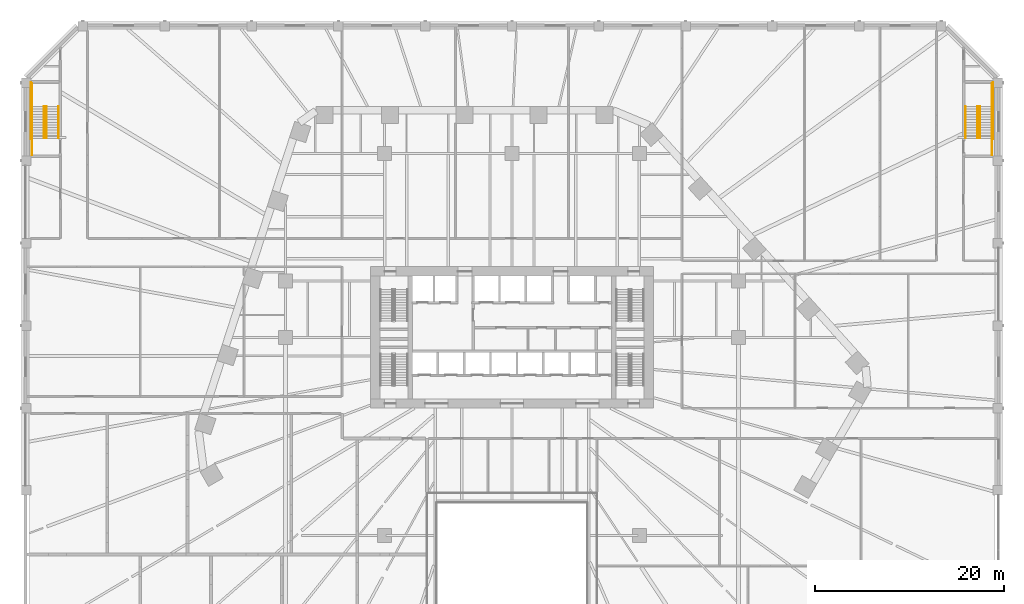
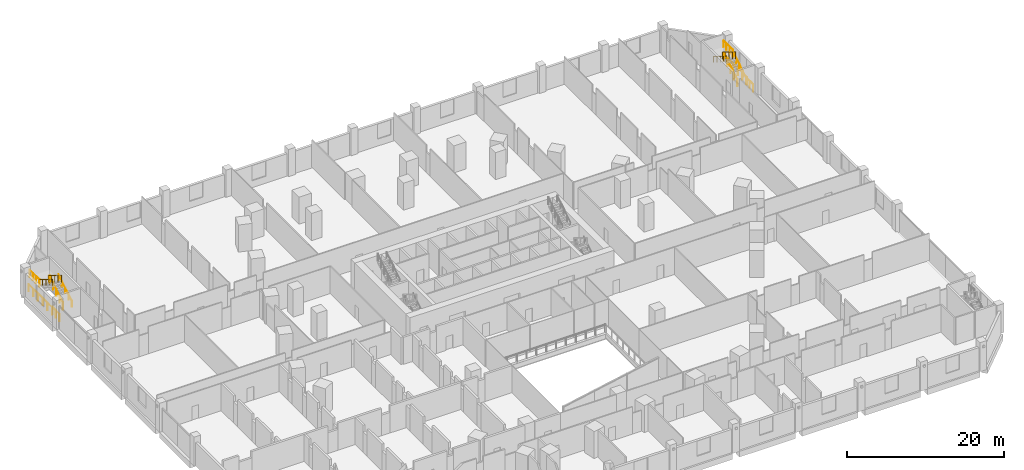
# One storey, part 33 of 33: 14 railings.
"""IFC4 building model written with IfcOpenShell, lengths in metres."""

from ifc_helpers import new_model, si_unit, direction, frame, origin, origin_2d, place, context, subcontext, project, spatial, circle, extrude, material, type_object, element, save


model = new_model("IFC4")

# Units and contexts
model_context = context("Model", 3, precision=1e-05, world=origin(), true_north=direction((0.0, 1.0)))
body_context = subcontext(model_context, "Body", "Model", "MODEL_VIEW")
ifc_project = project(units=[si_unit("LENGTHUNIT", "METRE"), si_unit("AREAUNIT", "SQUARE_METRE"), si_unit("VOLUMEUNIT", "CUBIC_METRE"), si_unit("PLANEANGLEUNIT", "RADIAN"), si_unit("MASSUNIT", "GRAM", prefix="KILO")], contexts=[model_context])

# Site, building, storey
site_placement = place(None, origin())
site = spatial("IfcSite", under=ifc_project, at=site_placement, CompositionType="ELEMENT")
building_placement = place(site_placement, origin())
building = spatial("IfcBuilding", under=site, at=building_placement, Name="Isthmus Gate Tower", CompositionType="ELEMENT")
storey_placement = place(building_placement, frame((0.0, 0.0, 22.5)))
storey = spatial("IfcBuildingStorey", under=building, at=storey_placement, Name="L03", CompositionType="ELEMENT", Elevation=22.5)

# Railings
ifc_material_1 = material(Name="Painted steel balusters with timber handrail", Category="steel")
railing_type_1 = type_object("IfcRailingType", Name="Podium stair guard 1100", PredefinedType="GUARDRAIL", material=ifc_material_1)
railing_1_placement = place(storey_placement, frame((49.60009765625, 28.625, 0.173095703125)))
element("IfcRailing", 1, at=railing_1_placement, inside=storey, type_object=railing_type_1, Name="L03 ST5 stair guard 1", PredefinedType="GUARDRAIL", context=body_context, shape_type="SweptSolid", body=[
    extrude(circle(Radius=0.02392578125, at=origin_2d()), frame((0.0, 0.0, 1.076171875), z_axis=(0.0, 0.850623216509, 0.525775754039), x_axis=(-1.0, 0.0, 0.0)), (0.0, 0.0, 1.0), 3.9501953125),
    extrude(circle(Radius=0.02099609375, at=origin_2d()), origin(), (0.0, 0.0, 1.0), 1.052001953125),
    extrude(circle(Radius=0.02099609375, at=origin_2d()), frame((0.0, 0.840087890625, 0.519287109375)), (0.0, 0.0, 1.0), 1.052001953125),
    extrude(circle(Radius=0.02099609375, at=origin_2d()), frame((0.0, 1.68017578125, 1.03857421875)), (0.0, 0.0, 1.0), 1.052001953125),
    extrude(circle(Radius=0.02099609375, at=origin_2d()), frame((0.0, 2.52001953125, 1.5576171875)), (0.0, 0.0, 1.0), 1.052001953125),
    extrude(circle(Radius=0.02099609375, at=origin_2d()), frame((0.0, 3.360107421875, 2.076904296875)), (0.0, 0.0, 1.0), 1.052001953125),
])
railing_2_placement = place(storey_placement, frame((50.89990234375, 31.985107421875, 2.25)))
element("IfcRailing", 2, at=railing_2_placement, inside=storey, type_object=railing_type_1, Name="L03 ST5 stair guard 2", PredefinedType="GUARDRAIL", context=body_context, shape_type="SweptSolid", body=[
    extrude(circle(Radius=0.02392578125, at=origin_2d()), frame((0.0, 0.0, 1.076171875), z_axis=(0.0, 1.0, 0.0), x_axis=(-1.0, 0.0, 0.0)), (0.0, 0.0, 1.0), 2.43994140625),
    extrude(circle(Radius=0.02099609375, at=origin_2d()), origin(), (0.0, 0.0, 1.0), 1.052001953125),
    extrude(circle(Radius=0.02099609375, at=origin_2d()), frame((0.0, 0.813232421875, 0.0)), (0.0, 0.0, 1.0), 1.052001953125),
    extrude(circle(Radius=0.02099609375, at=origin_2d()), frame((0.0, 1.626708984375, 0.0)), (0.0, 0.0, 1.0), 1.052001953125),
    extrude(circle(Radius=0.02099609375, at=origin_2d()), frame((0.0, 2.43994140625, 0.0)), (0.0, 0.0, 1.0), 1.052001953125),
])
railing_3_placement = place(storey_placement, frame((49.35009765625, 31.985107421875, 2.423095703125)))
element("IfcRailing", 3, at=railing_3_placement, inside=storey, type_object=railing_type_1, Name="L03 ST5 stair guard 3", PredefinedType="GUARDRAIL", context=body_context, shape_type="SweptSolid", body=[
    extrude(circle(Radius=0.02392578125, at=origin_2d()), frame((0.0, 0.0, 1.076171875), z_axis=(0.0, -0.850623216509, 0.525775754039), x_axis=(1.0, 0.0, 0.0)), (0.0, 0.0, 1.0), 3.9501953125),
    extrude(circle(Radius=0.02099609375, at=origin_2d()), origin(), (0.0, 0.0, 1.0), 1.052001953125),
    extrude(circle(Radius=0.02099609375, at=origin_2d()), frame((0.0, -0.840087890625, 0.519287109375)), (0.0, 0.0, 1.0), 1.052001953125),
    extrude(circle(Radius=0.02099609375, at=origin_2d()), frame((0.0, -1.68017578125, 1.03857421875)), (0.0, 0.0, 1.0), 1.052001953125),
    extrude(circle(Radius=0.02099609375, at=origin_2d()), frame((0.0, -2.52001953125, 1.5576171875)), (0.0, 0.0, 1.0), 1.052001953125),
    extrude(circle(Radius=0.02099609375, at=origin_2d()), frame((0.0, -3.360107421875, 2.076904296875)), (0.0, 0.0, 1.0), 1.052001953125),
])
railing_4_placement = place(storey_placement, frame((50.89990234375, 26.824951171875, 0.0)))
element("IfcRailing", 4, at=railing_4_placement, inside=storey, type_object=railing_type_1, Name="L03 ST5 stair guard 4", PredefinedType="GUARDRAIL", context=body_context, shape_type="SweptSolid", body=[
    extrude(circle(Radius=0.02392578125, at=origin_2d()), frame((0.0, 0.0, 1.076171875), z_axis=(0.0, 1.0, 0.0), x_axis=(-1.0, 0.0, 0.0)), (0.0, 0.0, 1.0), 1.800048828125),
    extrude(circle(Radius=0.02099609375, at=origin_2d()), origin(), (0.0, 0.0, 1.0), 1.052001953125),
    extrude(circle(Radius=0.02099609375, at=origin_2d()), frame((0.0, 0.89990234375, 0.0)), (0.0, 0.0, 1.0), 1.052001953125),
    extrude(circle(Radius=0.02099609375, at=origin_2d()), frame((0.0, 1.800048828125, 0.0)), (0.0, 0.0, 1.0), 1.052001953125),
])
railing_5_placement = place(storey_placement, frame((51.0, 28.52490234375, 0.0)))
element("IfcRailing", 5, at=railing_5_placement, inside=storey, type_object=railing_type_1, Name="L03 ST5 stair guard 5", PredefinedType="GUARDRAIL", context=body_context, shape_type="SweptSolid", body=[
    extrude(circle(Radius=0.02392578125, at=origin_2d()), frame((0.0, 0.0, 1.076171875), z_axis=(0.0, 1.0, 0.0), x_axis=(-1.0, 0.0, 0.0)), (0.0, 0.0, 1.0), 6.0),
    extrude(circle(Radius=0.02099609375, at=origin_2d()), origin(), (0.0, 0.0, 1.0), 1.052001953125),
    extrude(circle(Radius=0.02099609375, at=origin_2d()), frame((0.0, 1.199951171875, 0.0)), (0.0, 0.0, 1.0), 1.052001953125),
    extrude(circle(Radius=0.02099609375, at=origin_2d()), frame((0.0, 2.39990234375, 0.0)), (0.0, 0.0, 1.0), 1.052001953125),
    extrude(circle(Radius=0.02099609375, at=origin_2d()), frame((0.0, 3.60009765625, 0.0)), (0.0, 0.0, 1.0), 1.052001953125),
    extrude(circle(Radius=0.02099609375, at=origin_2d()), frame((0.0, 4.800048828125, 0.0)), (0.0, 0.0, 1.0), 1.052001953125),
    extrude(circle(Radius=0.02099609375, at=origin_2d()), frame((0.0, 6.0, 0.0)), (0.0, 0.0, 1.0), 1.052001953125),
])
railing_6_placement = place(storey_placement, frame((-49.35009765625, 28.625, 0.173095703125)))
element("IfcRailing", 6, at=railing_6_placement, inside=storey, type_object=railing_type_1, Name="L03 ST6 stair guard 1", PredefinedType="GUARDRAIL", context=body_context, shape_type="SweptSolid", body=[
    extrude(circle(Radius=0.02392578125, at=origin_2d()), frame((0.0, 0.0, 1.076171875), z_axis=(0.0, 0.850623216509, 0.525775754039), x_axis=(-1.0, 0.0, 0.0)), (0.0, 0.0, 1.0), 3.9501953125),
    extrude(circle(Radius=0.02099609375, at=origin_2d()), origin(), (0.0, 0.0, 1.0), 1.052001953125),
    extrude(circle(Radius=0.02099609375, at=origin_2d()), frame((0.0, 0.840087890625, 0.519287109375)), (0.0, 0.0, 1.0), 1.052001953125),
    extrude(circle(Radius=0.02099609375, at=origin_2d()), frame((0.0, 1.68017578125, 1.03857421875)), (0.0, 0.0, 1.0), 1.052001953125),
    extrude(circle(Radius=0.02099609375, at=origin_2d()), frame((0.0, 2.52001953125, 1.5576171875)), (0.0, 0.0, 1.0), 1.052001953125),
    extrude(circle(Radius=0.02099609375, at=origin_2d()), frame((0.0, 3.360107421875, 2.076904296875)), (0.0, 0.0, 1.0), 1.052001953125),
])
railing_7_placement = place(storey_placement, frame((-50.89990234375, 31.985107421875, 2.25)))
element("IfcRailing", 7, at=railing_7_placement, inside=storey, type_object=railing_type_1, Name="L03 ST6 stair guard 2", PredefinedType="GUARDRAIL", context=body_context, shape_type="SweptSolid", body=[
    extrude(circle(Radius=0.02392578125, at=origin_2d()), frame((0.0, 0.0, 1.076171875), z_axis=(0.0, 1.0, 0.0), x_axis=(-1.0, 0.0, 0.0)), (0.0, 0.0, 1.0), 2.43994140625),
    extrude(circle(Radius=0.02099609375, at=origin_2d()), origin(), (0.0, 0.0, 1.0), 1.052001953125),
    extrude(circle(Radius=0.02099609375, at=origin_2d()), frame((0.0, 0.813232421875, 0.0)), (0.0, 0.0, 1.0), 1.052001953125),
    extrude(circle(Radius=0.02099609375, at=origin_2d()), frame((0.0, 1.626708984375, 0.0)), (0.0, 0.0, 1.0), 1.052001953125),
    extrude(circle(Radius=0.02099609375, at=origin_2d()), frame((0.0, 2.43994140625, 0.0)), (0.0, 0.0, 1.0), 1.052001953125),
])
railing_8_placement = place(storey_placement, frame((-49.60009765625, 31.985107421875, 2.423095703125)))
element("IfcRailing", 8, at=railing_8_placement, inside=storey, type_object=railing_type_1, Name="L03 ST6 stair guard 3", PredefinedType="GUARDRAIL", context=body_context, shape_type="SweptSolid", body=[
    extrude(circle(Radius=0.02392578125, at=origin_2d()), frame((0.0, 0.0, 1.076171875), z_axis=(0.0, -0.850623216509, 0.525775754039), x_axis=(1.0, 0.0, 0.0)), (0.0, 0.0, 1.0), 3.9501953125),
    extrude(circle(Radius=0.02099609375, at=origin_2d()), origin(), (0.0, 0.0, 1.0), 1.052001953125),
    extrude(circle(Radius=0.02099609375, at=origin_2d()), frame((0.0, -0.840087890625, 0.519287109375)), (0.0, 0.0, 1.0), 1.052001953125),
    extrude(circle(Radius=0.02099609375, at=origin_2d()), frame((0.0, -1.68017578125, 1.03857421875)), (0.0, 0.0, 1.0), 1.052001953125),
    extrude(circle(Radius=0.02099609375, at=origin_2d()), frame((0.0, -2.52001953125, 1.5576171875)), (0.0, 0.0, 1.0), 1.052001953125),
    extrude(circle(Radius=0.02099609375, at=origin_2d()), frame((0.0, -3.360107421875, 2.076904296875)), (0.0, 0.0, 1.0), 1.052001953125),
])
railing_9_placement = place(storey_placement, frame((-50.89990234375, 26.824951171875, 0.0)))
element("IfcRailing", 9, at=railing_9_placement, inside=storey, type_object=railing_type_1, Name="L03 ST6 stair guard 4", PredefinedType="GUARDRAIL", context=body_context, shape_type="SweptSolid", body=[
    extrude(circle(Radius=0.02392578125, at=origin_2d()), frame((0.0, 0.0, 1.076171875), z_axis=(0.0, 1.0, 0.0), x_axis=(-1.0, 0.0, 0.0)), (0.0, 0.0, 1.0), 1.800048828125),
    extrude(circle(Radius=0.02099609375, at=origin_2d()), origin(), (0.0, 0.0, 1.0), 1.052001953125),
    extrude(circle(Radius=0.02099609375, at=origin_2d()), frame((0.0, 0.89990234375, 0.0)), (0.0, 0.0, 1.0), 1.052001953125),
    extrude(circle(Radius=0.02099609375, at=origin_2d()), frame((0.0, 1.800048828125, 0.0)), (0.0, 0.0, 1.0), 1.052001953125),
])
railing_10_placement = place(storey_placement, frame((-51.0, 28.52490234375, 0.0)))
element("IfcRailing", 10, at=railing_10_placement, inside=storey, type_object=railing_type_1, Name="L03 ST6 stair guard 5", PredefinedType="GUARDRAIL", context=body_context, shape_type="SweptSolid", body=[
    extrude(circle(Radius=0.02392578125, at=origin_2d()), frame((0.0, 0.0, 1.076171875), z_axis=(0.0, 1.0, 0.0), x_axis=(-1.0, 0.0, 0.0)), (0.0, 0.0, 1.0), 6.0),
    extrude(circle(Radius=0.02099609375, at=origin_2d()), origin(), (0.0, 0.0, 1.0), 1.052001953125),
    extrude(circle(Radius=0.02099609375, at=origin_2d()), frame((0.0, 1.199951171875, 0.0)), (0.0, 0.0, 1.0), 1.052001953125),
    extrude(circle(Radius=0.02099609375, at=origin_2d()), frame((0.0, 2.39990234375, 0.0)), (0.0, 0.0, 1.0), 1.052001953125),
    extrude(circle(Radius=0.02099609375, at=origin_2d()), frame((0.0, 3.60009765625, 0.0)), (0.0, 0.0, 1.0), 1.052001953125),
    extrude(circle(Radius=0.02099609375, at=origin_2d()), frame((0.0, 4.800048828125, 0.0)), (0.0, 0.0, 1.0), 1.052001953125),
    extrude(circle(Radius=0.02099609375, at=origin_2d()), frame((0.0, 6.0, 0.0)), (0.0, 0.0, 1.0), 1.052001953125),
])
ifc_material_2 = material(Name="Stainless steel tube", Category="steel")
railing_type_2 = type_object("IfcRailingType", Name="Podium stair handrail 900", PredefinedType="HANDRAIL", material=ifc_material_2)
railing_11_placement = place(storey_placement, frame((50.89990234375, 28.625, 0.173095703125)))
element("IfcRailing", 11, at=railing_11_placement, inside=storey, type_object=railing_type_2, Name="L03 ST5 stair handrail 1", PredefinedType="HANDRAIL", context=body_context, shape_type="SweptSolid", body=[
    extrude(circle(Radius=0.02392578125, at=origin_2d()), frame((0.0, 0.0, 0.8759765625), z_axis=(0.0, 0.850623216509, 0.525775754039), x_axis=(-1.0, 0.0, 0.0)), (0.0, 0.0, 1.0), 3.9501953125),
    extrude(circle(Radius=0.02099609375, at=origin_2d()), origin(), (0.0, 0.0, 1.0), 0.851806640625),
    extrude(circle(Radius=0.02099609375, at=origin_2d()), frame((0.0, 0.840087890625, 0.519287109375)), (0.0, 0.0, 1.0), 0.851806640625),
    extrude(circle(Radius=0.02099609375, at=origin_2d()), frame((0.0, 1.68017578125, 1.03857421875)), (0.0, 0.0, 1.0), 0.851806640625),
    extrude(circle(Radius=0.02099609375, at=origin_2d()), frame((0.0, 2.52001953125, 1.5576171875)), (0.0, 0.0, 1.0), 0.851806640625),
    extrude(circle(Radius=0.02099609375, at=origin_2d()), frame((0.0, 3.360107421875, 2.076904296875)), (0.0, 0.0, 1.0), 0.851806640625),
])
railing_12_placement = place(storey_placement, frame((48.050048828125, 31.985107421875, 2.423095703125)))
element("IfcRailing", 12, at=railing_12_placement, inside=storey, type_object=railing_type_2, Name="L03 ST5 stair handrail 2", PredefinedType="HANDRAIL", context=body_context, shape_type="SweptSolid", body=[
    extrude(circle(Radius=0.02392578125, at=origin_2d()), frame((0.0, 0.0, 0.8759765625), z_axis=(0.0, -0.850623216509, 0.525775754039), x_axis=(1.0, 0.0, 0.0)), (0.0, 0.0, 1.0), 3.9501953125),
    extrude(circle(Radius=0.02099609375, at=origin_2d()), origin(), (0.0, 0.0, 1.0), 0.851806640625),
    extrude(circle(Radius=0.02099609375, at=origin_2d()), frame((0.0, -0.840087890625, 0.519287109375)), (0.0, 0.0, 1.0), 0.851806640625),
    extrude(circle(Radius=0.02099609375, at=origin_2d()), frame((0.0, -1.68017578125, 1.03857421875)), (0.0, 0.0, 1.0), 0.851806640625),
    extrude(circle(Radius=0.02099609375, at=origin_2d()), frame((0.0, -2.52001953125, 1.5576171875)), (0.0, 0.0, 1.0), 0.851806640625),
    extrude(circle(Radius=0.02099609375, at=origin_2d()), frame((0.0, -3.360107421875, 2.076904296875)), (0.0, 0.0, 1.0), 0.851806640625),
])
railing_13_placement = place(storey_placement, frame((-48.050048828125, 28.625, 0.173095703125)))
element("IfcRailing", 13, at=railing_13_placement, inside=storey, type_object=railing_type_2, Name="L03 ST6 stair handrail 1", PredefinedType="HANDRAIL", context=body_context, shape_type="SweptSolid", body=[
    extrude(circle(Radius=0.02392578125, at=origin_2d()), frame((0.0, 0.0, 0.8759765625), z_axis=(0.0, 0.850623216509, 0.525775754039), x_axis=(-1.0, 0.0, 0.0)), (0.0, 0.0, 1.0), 3.9501953125),
    extrude(circle(Radius=0.02099609375, at=origin_2d()), origin(), (0.0, 0.0, 1.0), 0.851806640625),
    extrude(circle(Radius=0.02099609375, at=origin_2d()), frame((0.0, 0.840087890625, 0.519287109375)), (0.0, 0.0, 1.0), 0.851806640625),
    extrude(circle(Radius=0.02099609375, at=origin_2d()), frame((0.0, 1.68017578125, 1.03857421875)), (0.0, 0.0, 1.0), 0.851806640625),
    extrude(circle(Radius=0.02099609375, at=origin_2d()), frame((0.0, 2.52001953125, 1.5576171875)), (0.0, 0.0, 1.0), 0.851806640625),
    extrude(circle(Radius=0.02099609375, at=origin_2d()), frame((0.0, 3.360107421875, 2.076904296875)), (0.0, 0.0, 1.0), 0.851806640625),
])
railing_14_placement = place(storey_placement, frame((-50.89990234375, 31.985107421875, 2.423095703125)))
element("IfcRailing", 14, at=railing_14_placement, inside=storey, type_object=railing_type_2, Name="L03 ST6 stair handrail 2", PredefinedType="HANDRAIL", context=body_context, shape_type="SweptSolid", body=[
    extrude(circle(Radius=0.02392578125, at=origin_2d()), frame((0.0, 0.0, 0.8759765625), z_axis=(0.0, -0.850623216509, 0.525775754039), x_axis=(1.0, 0.0, 0.0)), (0.0, 0.0, 1.0), 3.9501953125),
    extrude(circle(Radius=0.02099609375, at=origin_2d()), origin(), (0.0, 0.0, 1.0), 0.851806640625),
    extrude(circle(Radius=0.02099609375, at=origin_2d()), frame((0.0, -0.840087890625, 0.519287109375)), (0.0, 0.0, 1.0), 0.851806640625),
    extrude(circle(Radius=0.02099609375, at=origin_2d()), frame((0.0, -1.68017578125, 1.03857421875)), (0.0, 0.0, 1.0), 0.851806640625),
    extrude(circle(Radius=0.02099609375, at=origin_2d()), frame((0.0, -2.52001953125, 1.5576171875)), (0.0, 0.0, 1.0), 0.851806640625),
    extrude(circle(Radius=0.02099609375, at=origin_2d()), frame((0.0, -3.360107421875, 2.076904296875)), (0.0, 0.0, 1.0), 0.851806640625),
])

save(model, "model.ifc")
